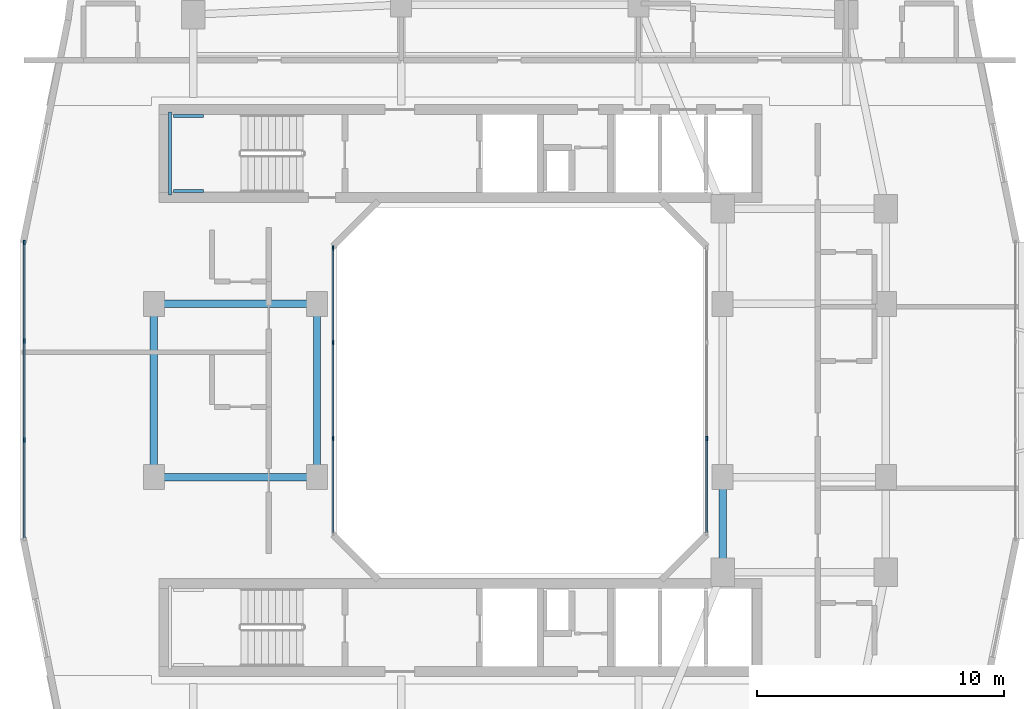
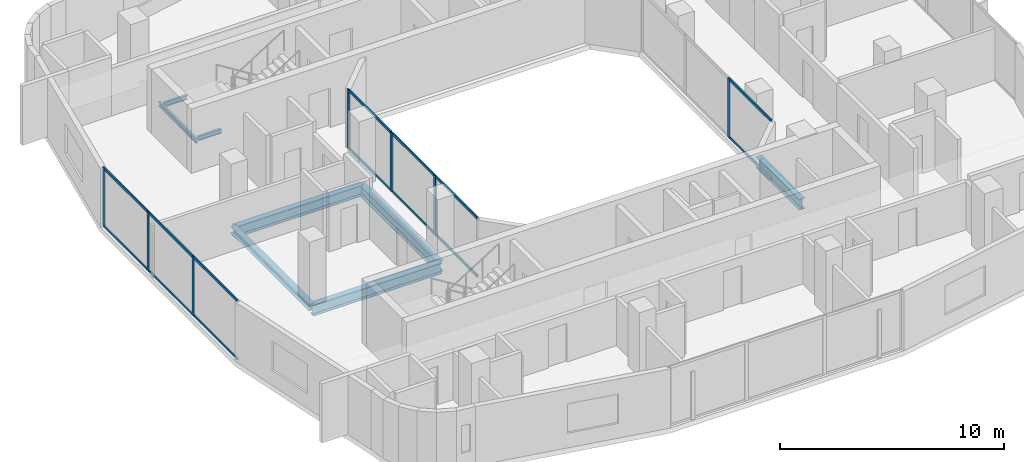
# One storey, part 3 of 26: 21 members, 8 beams, 3 elements without a shape of their own.
"""IFC4 building model written with IfcOpenShell, lengths in metres."""

from ifc_helpers import new_model, si_unit, derived_unit, direction, frame, origin, origin_2d, place, context, subcontext, project, spatial, rectangle, i_section, extrude, material, layer, layer_set, material_profile, profile_set, type_object, element, aggregate, save


model = new_model("IFC4")

# Units and contexts
model_context = context("Model", 3, precision=1e-05, world=origin(), true_north=direction((0.0, 1.0)))
body_context = subcontext(model_context, "Body", "Model", "MODEL_VIEW")
ifc_project = project(units=[si_unit("LENGTHUNIT", "METRE"), si_unit("AREAUNIT", "SQUARE_METRE"), si_unit("VOLUMEUNIT", "CUBIC_METRE"), si_unit("PLANEANGLEUNIT", "RADIAN"), si_unit("MASSUNIT", "GRAM", prefix="KILO"), derived_unit("THERMALTRANSMITTANCEUNIT", [(si_unit("POWERUNIT", "WATT"), 1), (si_unit("LENGTHUNIT", "METRE"), -2), (si_unit("THERMODYNAMICTEMPERATUREUNIT", "KELVIN"), -1)])], contexts=[model_context])

# Site, building, storey
site_placement = place(None, origin())
site = spatial("IfcSite", under=ifc_project, at=site_placement, CompositionType="ELEMENT")
building_placement = place(site_placement, origin())
building = spatial("IfcBuilding", under=site, at=building_placement, Name="Kivonza Crest Hotel", CompositionType="ELEMENT")
storey_placement = place(building_placement, frame((0.0, 0.0, 98.5)))
storey = spatial("IfcBuildingStorey", under=building, at=storey_placement, Name="L26", CompositionType="ELEMENT", Elevation=98.5)

# Beams
ifc_material_1 = material(Name="Steel S355", Category="steel")
ifc_material_profile_1 = material_profile(ifc_material_1, i_section(OverallWidth=0.300048828125, OverallDepth=0.360107421875, WebThickness=0.012451171875, FlangeThickness=0.0224609375, FilletRadius=0.027099609375, at=origin_2d()), Name="HEB 360")
ifc_profile_set_1 = profile_set([ifc_material_profile_1], Name="Steel S355")
beam_type_1 = type_object("IfcBeamType", Name="BM-HEB360", PredefinedType="SPANDREL", material=ifc_profile_set_1)
beam_1_placement = place(storey_placement, frame((6.199951171875, 28.5, -0.4599609375), z_axis=(0.0, -1.0, 0.0), x_axis=(1.0, 0.0, 0.0)))
element("IfcBeam", 1, at=beam_1_placement, inside=storey, type_object=beam_type_1, Name="Tower T1 L26 perimeter spandrel W2-W1", PredefinedType="SPANDREL", context=body_context, shape_type="SweptSolid", body=[
    extrude(i_section(OverallWidth=0.300048828125, OverallDepth=0.360107421875, WebThickness=0.012451171875, FlangeThickness=0.0224609375, FilletRadius=0.027099609375, at=origin_2d()), origin(), (0.0, 0.0, 1.0), 7.0),
])
ifc_material_profile_2 = material_profile(ifc_material_1, i_section(OverallWidth=0.300048828125, OverallDepth=0.60009765625, WebThickness=0.015380859375, FlangeThickness=0.030029296875, FilletRadius=0.027099609375, at=origin_2d()), Name="HEB 600")
ifc_profile_set_2 = profile_set([ifc_material_profile_2], Name="Steel S355")
beam_type_2 = type_object("IfcBeamType", Name="BM-HEB600", PredefinedType="BEAM", material=ifc_profile_set_2)
for number, where, z_axis, x_axis, name in (
    (2, (6.199951171875, 21.5, -0.580078125), (1.0, 0.0, 0.0), (0.0, 1.0, 0.0), "Tower T1 L26 primary girder W1-WL1"),
    (3, (6.199951171875, 28.5, -0.580078125), (1.0, 0.0, 0.0), (0.0, 1.0, 0.0), "Tower T1 L26 primary girder W2-WL2"),
):
    element("IfcBeam", number, at=place(storey_placement, frame(where, z_axis=z_axis, x_axis=x_axis)), inside=storey, type_object=beam_type_2, Name=name, PredefinedType="BEAM", context=body_context, shape_type="SweptSolid", body=[
        extrude(i_section(OverallWidth=0.300048828125, OverallDepth=0.60009765625, WebThickness=0.015380859375, FlangeThickness=0.030029296875, FilletRadius=0.027099609375, at=origin_2d()), origin(), (0.0, 0.0, 1.0), 6.60009765625),
    ])
beam_2_placement = place(storey_placement, frame((12.800048828125, 21.5, -0.580078125), z_axis=(0.0, 1.0, 0.0), x_axis=(-1.0, 0.0, 0.0)))
element("IfcBeam", 4, at=beam_2_placement, inside=storey, type_object=beam_type_2, Name="Tower T1 L26 primary girder WL1-WL2", PredefinedType="BEAM", context=body_context, shape_type="SweptSolid", body=[
    extrude(i_section(OverallWidth=0.300048828125, OverallDepth=0.60009765625, WebThickness=0.015380859375, FlangeThickness=0.030029296875, FilletRadius=0.027099609375, at=origin_2d()), origin(), (0.0, 0.0, 1.0), 7.0),
])
beam_3_placement = place(storey_placement, frame((29.199951171875, 17.64990234375, -0.580078125), z_axis=(0.0, 1.0, 0.0), x_axis=(-1.0, 0.0, 0.0)))
element("IfcBeam", 5, at=beam_3_placement, inside=storey, type_object=beam_type_2, Name="Tower T1 L26 primary girder TSE-WR1", PredefinedType="BEAM", context=body_context, shape_type="SweptSolid", body=[
    extrude(i_section(OverallWidth=0.300048828125, OverallDepth=0.60009765625, WebThickness=0.015380859375, FlangeThickness=0.030029296875, FilletRadius=0.027099609375, at=origin_2d()), origin(), (0.0, 0.0, 1.0), 3.85009765625),
])
ifc_material_profile_3 = material_profile(ifc_material_1, i_section(OverallWidth=0.1201171875, OverallDepth=0.239990234375, WebThickness=0.006103515625, FlangeThickness=0.009765625, FilletRadius=0.014892578125, at=origin_2d()), Name="IPE 240")
ifc_profile_set_3 = profile_set([ifc_material_profile_3], Name="Steel S355")
beam_type_3 = type_object("IfcBeamType", Name="BM-LLDG-240", PredefinedType="BEAM", material=ifc_profile_set_3)
beam_4_placement = place(storey_placement, frame((6.860107421875, 32.89990234375, 1.429931640625), z_axis=(0.0, 1.0, 0.0), x_axis=(-1.0, 0.0, 0.0)))
element("IfcBeam", 6, at=beam_4_placement, inside=storey, type_object=beam_type_3, Name="Stair ST-T1-N L26 West landing corbel", PredefinedType="BEAM", context=body_context, shape_type="SweptSolid", body=[
    extrude(i_section(OverallWidth=0.1201171875, OverallDepth=0.239990234375, WebThickness=0.006103515625, FlangeThickness=0.009765625, FilletRadius=0.014892578125, at=origin_2d()), origin(), (0.0, 0.0, 1.0), 3.360107421875),
])
for number, where, z_axis, x_axis, name in (
    (7, (6.989990234375, 33.06005859375, 1.429931640625), (1.0, 0.0, 0.0), (0.0, 1.0, 0.0), "Stair ST-T1-N L26 South landing corbel"),
    (8, (6.989990234375, 36.10009765625, 1.429931640625), (1.0, 0.0, 0.0), (0.0, 1.0, 0.0), "Stair ST-T1-N L26 North landing corbel"),
):
    element("IfcBeam", number, at=place(storey_placement, frame(where, z_axis=z_axis, x_axis=x_axis)), inside=storey, type_object=beam_type_3, Name=name, PredefinedType="BEAM", context=body_context, shape_type="SweptSolid", body=[
        extrude(i_section(OverallWidth=0.1201171875, OverallDepth=0.239990234375, WebThickness=0.006103515625, FlangeThickness=0.009765625, FilletRadius=0.014892578125, at=origin_2d()), origin(), (0.0, 0.0, 1.0), 1.2099609375),
    ])

# Curtain wall, members
ifc_material_2 = material(Name="Anodised bronze aluminium and low-E double glazing", Category="aluminium")
ifc_layer_1 = layer(ifc_material_2, 0.179931640625)
ifc_layer_set_1 = layer_set([ifc_layer_1], Name="Anodised bronze aluminium and low-E double glazing")
curtain_wall_type_1 = type_object("IfcCurtainWallType", Name="CW-SYS-2", PredefinedType="NOTDEFINED", material=ifc_layer_set_1)
curtain_wall_1_placement = place(storey_placement, origin())
curtain_wall_1 = element("IfcCurtainWall", 9, at=curtain_wall_1_placement, inside=storey, type_object=curtain_wall_type_1, Name="L26 unitised curtain wall CW-T1-L26-35", PredefinedType="NOTDEFINED")
ifc_material_3 = material(Name="Anodised bronze aluminium", Category="aluminium")
ifc_material_profile_4 = material_profile(ifc_material_3, rectangle(XDim=0.06494140625, YDim=0.179931640625, at=origin_2d()), Name="CW-M 65x180")
ifc_profile_set_4 = profile_set([ifc_material_profile_4], Name="Anodised bronze aluminium")
member_type_1 = type_object("IfcMemberType", Name="CW-MUL-65x180", PredefinedType="MULLION", material=ifc_profile_set_4)
member_1_placement = place(storey_placement, frame((0.9599609375, 30.987548828125, 0.0), z_axis=(0.0, 0.0, 1.0), x_axis=(1.0, 0.0, 0.0)))
member_1 = element("IfcMember", 10, at=member_1_placement, type_object=member_type_1, Name="CW-2 mullion 1", PredefinedType="MULLION", context=body_context, shape_type="SweptSolid", body=[
    extrude(rectangle(XDim=0.06494140625, YDim=0.179931640625, at=origin_2d()), origin(), (0.0, 0.0, 1.0), 3.219970703125),
])
member_2_placement = place(storey_placement, frame((0.9599609375, 27.006591796875, 0.0), z_axis=(0.0, 0.0, 1.0), x_axis=(1.0, 0.0, 0.0)))
member_2 = element("IfcMember", 11, at=member_2_placement, type_object=member_type_1, Name="CW-2 mullion 2", PredefinedType="MULLION", context=body_context, shape_type="SweptSolid", body=[
    extrude(rectangle(XDim=0.06494140625, YDim=0.179931640625, at=origin_2d()), origin(), (0.0, 0.0, 1.0), 3.219970703125),
])
member_3_placement = place(storey_placement, frame((0.9599609375, 22.993408203125, 0.0), z_axis=(0.0, 0.0, 1.0), x_axis=(1.0, 0.0, 0.0)))
member_3 = element("IfcMember", 12, at=member_3_placement, type_object=member_type_1, Name="CW-2 mullion 3", PredefinedType="MULLION", context=body_context, shape_type="SweptSolid", body=[
    extrude(rectangle(XDim=0.06494140625, YDim=0.179931640625, at=origin_2d()), origin(), (0.0, 0.0, 1.0), 3.219970703125),
])

# Curtain wall, member
ifc_layer_2 = layer(ifc_material_2, 0.159912109375)
ifc_layer_set_2 = layer_set([ifc_layer_2], Name="Anodised bronze aluminium and low-E double glazing")
curtain_wall_type_2 = type_object("IfcCurtainWallType", Name="CW-SYS-5", PredefinedType="NOTDEFINED", material=ifc_layer_set_2)
curtain_wall_2_placement = place(storey_placement, origin())
curtain_wall_2 = element("IfcCurtainWall", 13, at=curtain_wall_2_placement, inside=storey, type_object=curtain_wall_type_2, Name="L26 unitised curtain wall CW-WELL-T1-L26-3", PredefinedType="NOTDEFINED")
member_4_placement = place(storey_placement, frame((28.56005859375, 23.066650390625, 0.0), z_axis=(0.0, 0.0, 1.0), x_axis=(-1.0, 0.0, 0.0)))
member_4 = element("IfcMember", 14, at=member_4_placement, type_object=member_type_1, Name="CW-5 mullion 2", PredefinedType="MULLION", context=body_context, shape_type="SweptSolid", body=[
    extrude(rectangle(XDim=0.06494140625, YDim=0.179931640625, at=origin_2d()), origin(), (0.0, 0.0, 1.0), 3.219970703125),
])

# Curtain wall, members
curtain_wall_3_placement = place(storey_placement, origin())
curtain_wall_3 = element("IfcCurtainWall", 15, at=curtain_wall_3_placement, inside=storey, type_object=curtain_wall_type_2, Name="L26 unitised curtain wall CW-WELL-T1-L26-7", PredefinedType="NOTDEFINED")
member_5_placement = place(storey_placement, frame((13.43994140625, 30.767578125, 0.0), z_axis=(0.0, 0.0, 1.0), x_axis=(1.0, 0.0, 0.0)))
member_5 = element("IfcMember", 16, at=member_5_placement, type_object=member_type_1, Name="CW-5 mullion 1", PredefinedType="MULLION", context=body_context, shape_type="SweptSolid", body=[
    extrude(rectangle(XDim=0.06494140625, YDim=0.179931640625, at=origin_2d()), origin(), (0.0, 0.0, 1.0), 3.219970703125),
])
member_6_placement = place(storey_placement, frame((13.43994140625, 26.933349609375, 0.0), z_axis=(0.0, 0.0, 1.0), x_axis=(1.0, 0.0, 0.0)))
member_6 = element("IfcMember", 17, at=member_6_placement, type_object=member_type_1, Name="CW-5 mullion 2", PredefinedType="MULLION", context=body_context, shape_type="SweptSolid", body=[
    extrude(rectangle(XDim=0.06494140625, YDim=0.179931640625, at=origin_2d()), origin(), (0.0, 0.0, 1.0), 3.219970703125),
])
member_7_placement = place(storey_placement, frame((13.43994140625, 23.066650390625, 0.0), z_axis=(0.0, 0.0, 1.0), x_axis=(1.0, 0.0, 0.0)))
member_7 = element("IfcMember", 18, at=member_7_placement, type_object=member_type_1, Name="CW-5 mullion 3", PredefinedType="MULLION", context=body_context, shape_type="SweptSolid", body=[
    extrude(rectangle(XDim=0.06494140625, YDim=0.179931640625, at=origin_2d()), origin(), (0.0, 0.0, 1.0), 3.219970703125),
])

# Member
ifc_material_profile_5 = material_profile(ifc_material_3, rectangle(XDim=0.06494140625, YDim=0.139892578125, at=origin_2d()), Name="CW-T 65x140")
ifc_profile_set_5 = profile_set([ifc_material_profile_5], Name="Anodised bronze aluminium")
member_type_2 = type_object("IfcMemberType", Name="CW-TRN-65x140", PredefinedType="USERDEFINED", material=ifc_profile_set_5)
member_8_placement = place(storey_placement, frame((0.9599609375, 30.955078125, 0.032470703125), z_axis=(0.0, -1.0, 0.0), x_axis=(1.0, 0.0, 0.0)))
member_8 = element("IfcMember", 19, at=member_8_placement, type_object=member_type_2, Name="CW-2 transom 1.1", ObjectType="TRANSOM", PredefinedType="USERDEFINED", context=body_context, shape_type="SweptSolid", body=[
    extrude(rectangle(XDim=0.06494140625, YDim=0.139892578125, at=origin_2d()), origin(), (0.0, 0.0, 1.0), 3.916015625),
])

member_9_placement = place(storey_placement, frame((0.9599609375, 30.955078125, 3.1875), z_axis=(0.0, -1.0, 0.0), x_axis=(1.0, 0.0, 0.0)))
member_9 = element("IfcMember", 20, at=member_9_placement, type_object=member_type_2, Name="CW-2 transom 1.2", ObjectType="TRANSOM", PredefinedType="USERDEFINED", context=body_context, shape_type="SweptSolid", body=[
    extrude(rectangle(XDim=0.06494140625, YDim=0.139892578125, at=origin_2d()), origin(), (0.0, 0.0, 1.0), 3.916015625),
])

member_10_placement = place(storey_placement, frame((0.9599609375, 26.97412109375, 0.032470703125), z_axis=(0.0, -1.0, 0.0), x_axis=(1.0, 0.0, 0.0)))
member_10 = element("IfcMember", 21, at=member_10_placement, type_object=member_type_2, Name="CW-2 transom 2.1", ObjectType="TRANSOM", PredefinedType="USERDEFINED", context=body_context, shape_type="SweptSolid", body=[
    extrude(rectangle(XDim=0.06494140625, YDim=0.139892578125, at=origin_2d()), origin(), (0.0, 0.0, 1.0), 3.9482421875),
])

member_11_placement = place(storey_placement, frame((0.9599609375, 26.97412109375, 3.1875), z_axis=(0.0, -1.0, 0.0), x_axis=(1.0, 0.0, 0.0)))
member_11 = element("IfcMember", 22, at=member_11_placement, type_object=member_type_2, Name="CW-2 transom 2.2", ObjectType="TRANSOM", PredefinedType="USERDEFINED", context=body_context, shape_type="SweptSolid", body=[
    extrude(rectangle(XDim=0.06494140625, YDim=0.139892578125, at=origin_2d()), origin(), (0.0, 0.0, 1.0), 3.9482421875),
])

member_12_placement = place(storey_placement, frame((0.9599609375, 22.9609375, 0.032470703125), z_axis=(0.0, -1.0, 0.0), x_axis=(1.0, 0.0, 0.0)))
member_12 = element("IfcMember", 23, at=member_12_placement, type_object=member_type_2, Name="CW-2 transom 3.1", ObjectType="TRANSOM", PredefinedType="USERDEFINED", context=body_context, shape_type="SweptSolid", body=[
    extrude(rectangle(XDim=0.06494140625, YDim=0.139892578125, at=origin_2d()), origin(), (0.0, 0.0, 1.0), 3.916015625),
])

member_13_placement = place(storey_placement, frame((0.9599609375, 22.9609375, 3.1875), z_axis=(0.0, -1.0, 0.0), x_axis=(1.0, 0.0, 0.0)))
member_13 = element("IfcMember", 24, at=member_13_placement, type_object=member_type_2, Name="CW-2 transom 3.2", ObjectType="TRANSOM", PredefinedType="USERDEFINED", context=body_context, shape_type="SweptSolid", body=[
    extrude(rectangle(XDim=0.06494140625, YDim=0.139892578125, at=origin_2d()), origin(), (0.0, 0.0, 1.0), 3.916015625),
])

aggregate(curtain_wall_1, [member_1, member_2, member_3, member_8, member_9, member_10, member_11, member_12, member_13])

member_14_placement = place(storey_placement, frame((28.56005859375, 19.264892578125, 0.032470703125), z_axis=(0.0, 1.0, 0.0), x_axis=(-1.0, 0.0, 0.0)))
member_14 = element("IfcMember", 25, at=member_14_placement, type_object=member_type_2, Name="CW-5 transom 1.1", ObjectType="TRANSOM", PredefinedType="USERDEFINED", context=body_context, shape_type="SweptSolid", body=[
    extrude(rectangle(XDim=0.06494140625, YDim=0.139892578125, at=origin_2d()), origin(), (0.0, 0.0, 1.0), 3.769287109375),
])

member_15_placement = place(storey_placement, frame((28.56005859375, 19.264892578125, 3.1875), z_axis=(0.0, 1.0, 0.0), x_axis=(-1.0, 0.0, 0.0)))
member_15 = element("IfcMember", 26, at=member_15_placement, type_object=member_type_2, Name="CW-5 transom 1.2", ObjectType="TRANSOM", PredefinedType="USERDEFINED", context=body_context, shape_type="SweptSolid", body=[
    extrude(rectangle(XDim=0.06494140625, YDim=0.139892578125, at=origin_2d()), origin(), (0.0, 0.0, 1.0), 3.769287109375),
])

aggregate(curtain_wall_2, [member_4, member_14, member_15])

member_16_placement = place(storey_placement, frame((13.43994140625, 30.735107421875, 0.032470703125), z_axis=(0.0, -1.0, 0.0), x_axis=(1.0, 0.0, 0.0)))
member_16 = element("IfcMember", 27, at=member_16_placement, type_object=member_type_2, Name="CW-5 transom 1.1", ObjectType="TRANSOM", PredefinedType="USERDEFINED", context=body_context, shape_type="SweptSolid", body=[
    extrude(rectangle(XDim=0.06494140625, YDim=0.139892578125, at=origin_2d()), origin(), (0.0, 0.0, 1.0), 3.769287109375),
])

member_17_placement = place(storey_placement, frame((13.43994140625, 30.735107421875, 3.1875), z_axis=(0.0, -1.0, 0.0), x_axis=(1.0, 0.0, 0.0)))
member_17 = element("IfcMember", 28, at=member_17_placement, type_object=member_type_2, Name="CW-5 transom 1.2", ObjectType="TRANSOM", PredefinedType="USERDEFINED", context=body_context, shape_type="SweptSolid", body=[
    extrude(rectangle(XDim=0.06494140625, YDim=0.139892578125, at=origin_2d()), origin(), (0.0, 0.0, 1.0), 3.769287109375),
])

member_18_placement = place(storey_placement, frame((13.43994140625, 26.90087890625, 0.032470703125), z_axis=(0.0, -1.0, 0.0), x_axis=(1.0, 0.0, 0.0)))
member_18 = element("IfcMember", 29, at=member_18_placement, type_object=member_type_2, Name="CW-5 transom 2.1", ObjectType="TRANSOM", PredefinedType="USERDEFINED", context=body_context, shape_type="SweptSolid", body=[
    extrude(rectangle(XDim=0.06494140625, YDim=0.139892578125, at=origin_2d()), origin(), (0.0, 0.0, 1.0), 3.8017578125),
])

member_19_placement = place(storey_placement, frame((13.43994140625, 26.90087890625, 3.1875), z_axis=(0.0, -1.0, 0.0), x_axis=(1.0, 0.0, 0.0)))
member_19 = element("IfcMember", 30, at=member_19_placement, type_object=member_type_2, Name="CW-5 transom 2.2", ObjectType="TRANSOM", PredefinedType="USERDEFINED", context=body_context, shape_type="SweptSolid", body=[
    extrude(rectangle(XDim=0.06494140625, YDim=0.139892578125, at=origin_2d()), origin(), (0.0, 0.0, 1.0), 3.8017578125),
])

member_20_placement = place(storey_placement, frame((13.43994140625, 23.0341796875, 0.032470703125), z_axis=(0.0, -1.0, 0.0), x_axis=(1.0, 0.0, 0.0)))
member_20 = element("IfcMember", 31, at=member_20_placement, type_object=member_type_2, Name="CW-5 transom 3.1", ObjectType="TRANSOM", PredefinedType="USERDEFINED", context=body_context, shape_type="SweptSolid", body=[
    extrude(rectangle(XDim=0.06494140625, YDim=0.139892578125, at=origin_2d()), origin(), (0.0, 0.0, 1.0), 3.769287109375),
])

member_21_placement = place(storey_placement, frame((13.43994140625, 23.0341796875, 3.1875), z_axis=(0.0, -1.0, 0.0), x_axis=(1.0, 0.0, 0.0)))
member_21 = element("IfcMember", 32, at=member_21_placement, type_object=member_type_2, Name="CW-5 transom 3.2", ObjectType="TRANSOM", PredefinedType="USERDEFINED", context=body_context, shape_type="SweptSolid", body=[
    extrude(rectangle(XDim=0.06494140625, YDim=0.139892578125, at=origin_2d()), origin(), (0.0, 0.0, 1.0), 3.769287109375),
])

aggregate(curtain_wall_3, [member_5, member_6, member_7, member_16, member_17, member_18, member_19, member_20, member_21])

save(model, "model.ifc")
